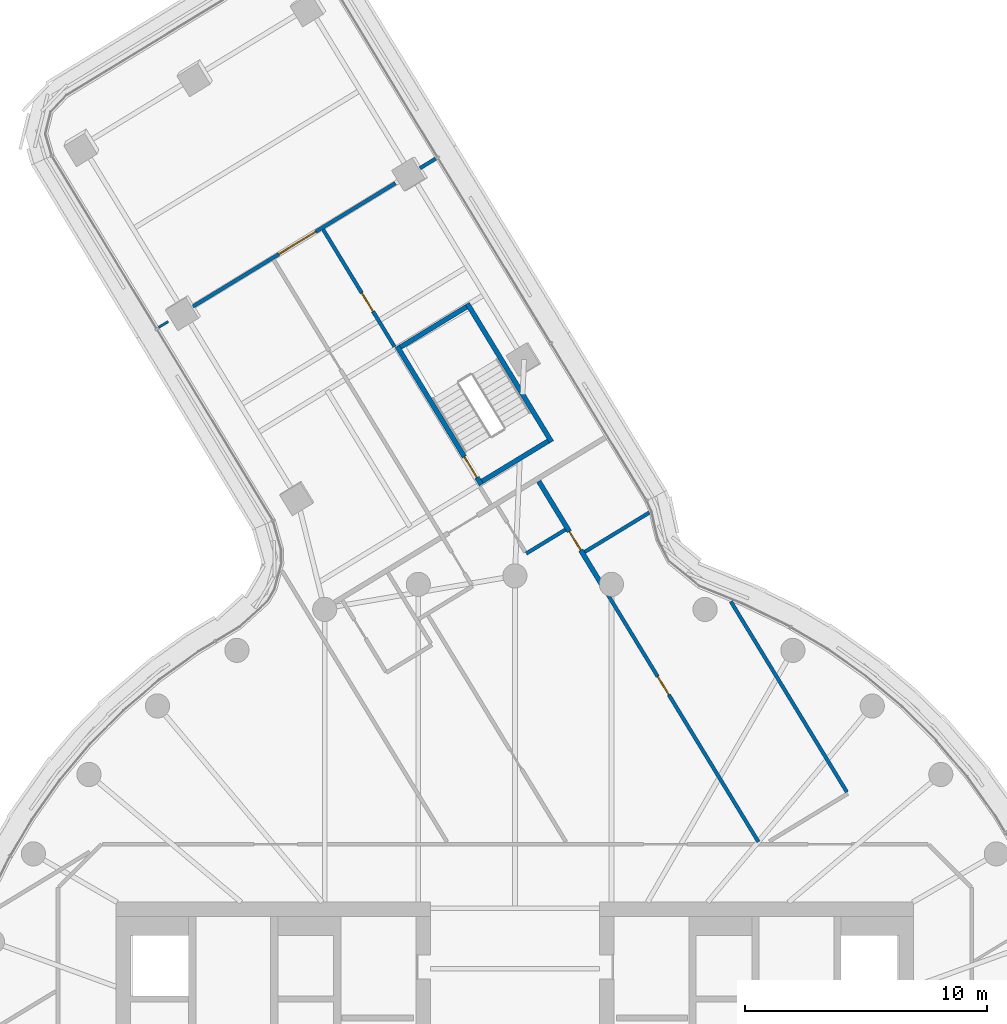
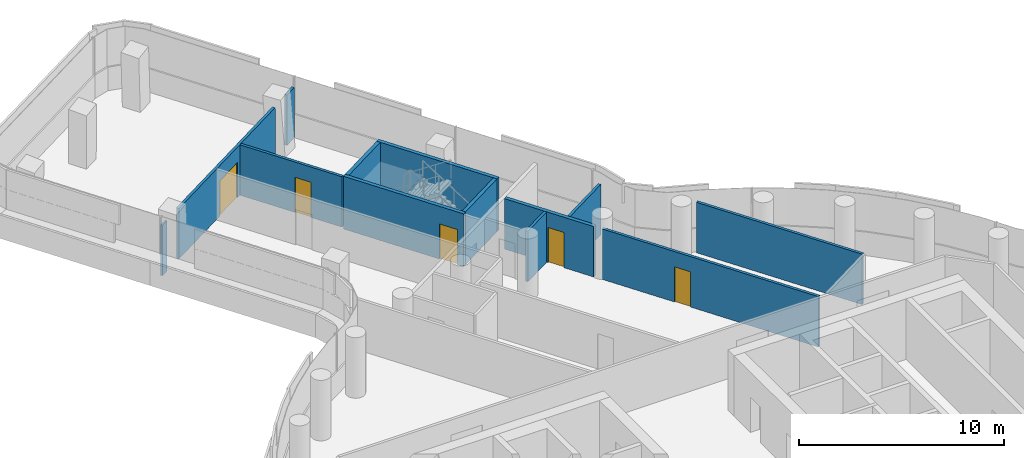
# One storey, part 25 of 35: 13 walls, 5 doors, 5 openings.
"""IFC4 building model written with IfcOpenShell, lengths in metres."""

from ifc_helpers import new_model, si_unit, direction, frame, frame_2d, origin, place, context, subcontext, project, spatial, polyline, rectangle, outline, extrude, material, layer, layer_set, type_object, element, fill, save


model = new_model("IFC4")

# Units and contexts
model_context = context("Model", 3, precision=1e-05, world=origin(), true_north=direction((0.0, 1.0)))
body_context = subcontext(model_context, "Body", "Model", "MODEL_VIEW")
ifc_project = project(units=[si_unit("LENGTHUNIT", "METRE"), si_unit("AREAUNIT", "SQUARE_METRE"), si_unit("VOLUMEUNIT", "CUBIC_METRE"), si_unit("PLANEANGLEUNIT", "RADIAN"), si_unit("MASSUNIT", "GRAM", prefix="KILO")], contexts=[model_context])

# Site, building, storey
site_placement = place(None, origin())
site = spatial("IfcSite", under=ifc_project, at=site_placement, CompositionType="ELEMENT")
building_placement = place(site_placement, origin())
building = spatial("IfcBuilding", under=site, at=building_placement, Name="Tamarind Cross Interchange Tower", CompositionType="ELEMENT")
storey_placement = place(building_placement, frame((0.0, 0.0, 148.0)))
storey = spatial("IfcBuildingStorey", under=building, at=storey_placement, Name="L36", CompositionType="ELEMENT", Elevation=148.0)

# Wall
ifc_material_1 = material(Name="Gypsum board partition on steel studs", Category="steel")
ifc_layer_1 = layer(ifc_material_1, 0.10009765625)
ifc_layer_set_1 = layer_set([ifc_layer_1], Name="Gypsum board partition on steel studs")
wall_type_1 = type_object("IfcWallType", Name="Partition 100 mm EI 90", PredefinedType="PARTITIONING", material=ifc_layer_set_1)
wall_1_placement = place(storey_placement, frame((-14.735107421875, 33.281494140625, 0.0), z_axis=(0.0, 0.0, 1.0), x_axis=(0.853819186758, 0.520569684407, 0.0)))
element("IfcWall", 1, at=wall_1_placement, inside=storey, type_object=wall_type_1, Name="Partition L36-044", PredefinedType="PARTITIONING", context=body_context, shape_type="SweptSolid", body=[
    extrude(rectangle(XDim=0.4599609375, YDim=0.10009765625, at=frame_2d((0.22998046875, 0.0))), origin(), (0.0, 0.0, 1.0), 3.010009765625),
])

# Wall, opening, door
ifc_layer_2 = layer(ifc_material_1, 0.14990234375)
ifc_layer_set_2 = layer_set([ifc_layer_2], Name="Gypsum board partition on steel studs")
wall_type_2 = type_object("IfcWallType", Name="Partition 150 mm EI 120", PredefinedType="PARTITIONING", material=ifc_layer_set_2)
wall_2_placement = place(storey_placement, frame((-7.932373046875, 37.330810546875, 0.0), z_axis=(0.0, 0.0, 1.0), x_axis=(0.520192378897, -0.854049113891, 0.0)))
wall_2 = element("IfcWall", 2, at=wall_2_placement, inside=storey, type_object=wall_type_2, Name="Partition L36-011", PredefinedType="PARTITIONING", context=body_context, shape_type="SweptSolid", body=[
    extrude(rectangle(XDim=5.6796875, YDim=0.14990234375, at=frame_2d((2.83984375, 0.0))), origin(), (0.0, 0.0, 1.0), 3.010009765625),
])
opening_1_placement = place(wall_2_placement, frame((3.070068359375, 0.0, 0.0)))
opening_1 = element("IfcOpeningElement", 3, at=opening_1_placement, cuts=wall_2, Name="Opening D06", PredefinedType="OPENING", context=body_context, shape_type="SweptSolid", body=[
    extrude(rectangle(XDim=0.89990234375, YDim=2.10009765625, at=frame_2d((0.449951171875, 1.050048828125))), frame((0.0, 0.0849609375, 0.0), z_axis=(0.0, -1.0, 0.0), x_axis=(1.0, 0.0, 0.0)), (0.0, 0.0, 1.0), 0.169921875),
])
ifc_material_2 = material(Name="Fire-resisting door set")
door_type_1 = type_object("IfcDoorType", Name="Interior door 900 x 2100 FD60S", OperationType="SINGLE_SWING_LEFT", PredefinedType="DOOR", material=ifc_material_2)
door_1_placement = place(opening_1_placement, origin())
door_1 = element("IfcDoor", 4, at=door_1_placement, inside=storey, type_object=door_type_1, Name="Door D06", OperationType="SINGLE_SWING_LEFT", OverallHeight=2.10009765625, OverallWidth=0.89990234375, PredefinedType="DOOR", context=body_context, shape_type="SweptSolid", body=[
    extrude(rectangle(XDim=0.89990234375, YDim=2.10009765625, at=frame_2d((0.449951171875, 1.050048828125))), frame((0.0, 0.02490234375, 0.0), z_axis=(0.0, -1.0, 0.0), x_axis=(1.0, 0.0, 0.0)), (0.0, 0.0, 1.0), 0.050048828125),
])
fill(opening_1, door_1)

wall_3_placement = place(storey_placement, frame((3.81298828125, 22.277099609375, 0.0), z_axis=(0.0, 0.0, 1.0), x_axis=(0.52031356714, -0.853975287611, 0.0)))
wall_3 = element("IfcWall", 5, at=wall_3_placement, inside=storey, type_object=wall_type_2, Name="Partition L36-020", PredefinedType="PARTITIONING", context=body_context, shape_type="SweptSolid", body=[
    extrude(rectangle(XDim=12.0400390625, YDim=0.14990234375, at=frame_2d((6.02001953125, 0.0))), origin(), (0.0, 0.0, 1.0), 3.010009765625),
])
opening_2_placement = place(wall_3_placement, frame((4.023193359375, 0.0, 0.0)))
opening_2 = element("IfcOpeningElement", 6, at=opening_2_placement, cuts=wall_3, Name="Opening D12", PredefinedType="OPENING", context=body_context, shape_type="SweptSolid", body=[
    extrude(rectangle(XDim=0.89990234375, YDim=2.10009765625, at=frame_2d((0.449951171875, 1.050048828125))), frame((0.0, 0.0849609375, 0.0), z_axis=(0.0, -1.0, 0.0), x_axis=(1.0, 0.0, 0.0)), (0.0, 0.0, 1.0), 0.169921875),
])
door_2_placement = place(opening_2_placement, origin())
door_2 = element("IfcDoor", 7, at=door_2_placement, inside=storey, type_object=door_type_1, Name="Door D12", OperationType="SINGLE_SWING_RIGHT", OverallHeight=2.10009765625, OverallWidth=0.89990234375, PredefinedType="DOOR", context=body_context, shape_type="SweptSolid", body=[
    extrude(rectangle(XDim=0.89990234375, YDim=2.10009765625, at=frame_2d((0.449951171875, 1.050048828125))), frame((0.0, 0.02490234375, 0.0), z_axis=(0.0, -1.0, 0.0), x_axis=(1.0, 0.0, 0.0)), (0.0, 0.0, 1.0), 0.050048828125),
])
fill(opening_2, door_2)

# Wall
wall_4_placement = place(storey_placement, frame((8.935302734375, 21.939453125, 0.0), z_axis=(0.0, 0.0, 1.0), x_axis=(0.520139186157, -0.854081510761, 0.0)))
element("IfcWall", 8, at=wall_4_placement, inside=storey, type_object=wall_type_2, Name="Partition L36-025", PredefinedType="PARTITIONING", context=body_context, shape_type="SweptSolid", body=[
    extrude(rectangle(XDim=9.2255859375, YDim=0.14990234375, at=frame_2d((4.61279296875, 0.0))), origin(), (0.0, 0.0, 1.0), 3.010009765625),
])

# Wall, opening, door
wall_5_placement = place(storey_placement, frame((-13.323486328125, 34.141357421875, 0.0), z_axis=(0.0, 0.0, 1.0), x_axis=(0.854059648634, 0.520175082616, 0.0)))
wall_5 = element("IfcWall", 9, at=wall_5_placement, inside=storey, type_object=wall_type_2, Name="Partition L36-045", PredefinedType="PARTITIONING", context=body_context, shape_type="SweptSolid", body=[
    extrude(rectangle(XDim=9.810791015625, YDim=0.14990234375, at=frame_2d((4.9052734375, 0.0))), origin(), (0.0, 0.0, 1.0), 3.010009765625),
])
opening_3_placement = place(wall_5_placement, frame((4.163330078125, 0.0, 0.0)))
opening_3 = element("IfcOpeningElement", 10, at=opening_3_placement, cuts=wall_5, Name="Opening D31", PredefinedType="OPENING", context=body_context, shape_type="SweptSolid", body=[
    extrude(rectangle(XDim=1.800048828125, YDim=2.10009765625, at=frame_2d((0.89990234375, 1.050048828125))), frame((0.0, 0.0849609375, 0.0), z_axis=(0.0, -1.0, 0.0), x_axis=(1.0, 0.0, 0.0)), (0.0, 0.0, 1.0), 0.169921875),
])
door_type_2 = type_object("IfcDoorType", Name="Interior door 1800 x 2100 FD60S", OperationType="DOUBLE_DOOR_SINGLE_SWING", PredefinedType="DOOR", material=ifc_material_2)
door_3_placement = place(opening_3_placement, frame((1.800048828125, 0.0, 0.0), z_axis=(0.0, 0.0, 1.0), x_axis=(-1.0, 0.0, 0.0)))
door_3 = element("IfcDoor", 11, at=door_3_placement, inside=storey, type_object=door_type_2, Name="Door D31", OperationType="DOUBLE_DOOR_SINGLE_SWING", OverallHeight=2.10009765625, OverallWidth=1.800048828125, PredefinedType="DOOR", context=body_context, shape_type="SweptSolid", body=[
    extrude(rectangle(XDim=1.800048828125, YDim=2.10009765625, at=frame_2d((0.89990234375, 1.050048828125))), frame((0.0, 0.02490234375, 0.0), z_axis=(0.0, -1.0, 0.0), x_axis=(1.0, 0.0, 0.0)), (0.0, 0.0, 1.0), 0.050048828125),
])
fill(opening_3, door_3)

# Walls
wall_6_placement = place(storey_placement, frame((-3.924560546875, 39.865966796875, 0.0), z_axis=(0.0, 0.0, 1.0), x_axis=(0.853974369276, 0.520315074372, 0.0)))
element("IfcWall", 12, at=wall_6_placement, inside=storey, type_object=wall_type_2, Name="Partition L36-046", PredefinedType="PARTITIONING", context=body_context, shape_type="SweptSolid", body=[
    extrude(rectangle(XDim=0.75732421875, YDim=0.14990234375, at=frame_2d((0.378662109375, 0.0))), origin(), (0.0, 0.0, 1.0), 3.010009765625),
])
wall_7_placement = place(storey_placement, frame((2.8857421875, 23.990234375, 0.0), z_axis=(0.0, 0.0, 1.0), x_axis=(0.854147393667, 0.520030989357, 0.0)))
element("IfcWall", 13, at=wall_7_placement, inside=storey, type_object=wall_type_2, Name="Partition L36-050", PredefinedType="PARTITIONING", context=body_context, shape_type="SweptSolid", body=[
    extrude(rectangle(XDim=3.13330078125, YDim=0.14990234375, at=frame_2d((1.566650390625, 0.0))), origin(), (0.0, 0.0, 1.0), 3.010009765625),
])
wall_8_placement = place(storey_placement, frame((0.467529296875, 23.923095703125, 0.0), z_axis=(0.0, 0.0, 1.0), x_axis=(0.854096838404, 0.52011401695, 0.0)))
element("IfcWall", 14, at=wall_8_placement, inside=storey, type_object=wall_type_2, Name="Partition L36-052", PredefinedType="PARTITIONING", context=body_context, shape_type="SweptSolid", body=[
    extrude(rectangle(XDim=1.900634765625, YDim=0.14990234375, at=frame_2d((0.9501953125, 0.0))), origin(), (0.0, 0.0, 1.0), 3.010009765625),
])

# Wall, opening, door
ifc_layer_3 = layer(ifc_material_1, 0.199951171875)
ifc_layer_set_3 = layer_set([ifc_layer_3], Name="Gypsum board partition on steel studs")
wall_type_3 = type_object("IfcWallType", Name="Partition 200 mm EI 180", PredefinedType="PARTITIONING", material=ifc_layer_set_3)
wall_9_placement = place(storey_placement, frame((0.989501953125, 26.91162109375, 0.0), z_axis=(0.0, 0.0, 1.0), x_axis=(0.520312603041, -0.85397587502, 0.0)))
wall_9 = element("IfcWall", 15, at=wall_9_placement, inside=storey, type_object=wall_type_3, Name="Partition L36-019", PredefinedType="PARTITIONING", context=body_context, shape_type="SweptSolid", body=[
    extrude(rectangle(XDim=4.97705078125, YDim=0.199951171875, at=frame_2d((2.488525390625, 0.0))), origin(), (0.0, 0.0, 1.0), 3.010009765625),
])
opening_4_placement = place(wall_9_placement, frame((2.430419921875, 0.0, 0.0)))
opening_4 = element("IfcOpeningElement", 16, at=opening_4_placement, cuts=wall_9, Name="Opening D11", PredefinedType="OPENING", context=body_context, shape_type="SweptSolid", body=[
    extrude(rectangle(XDim=0.89990234375, YDim=2.10009765625, at=frame_2d((0.449951171875, 1.050048828125))), frame((0.0, 0.10986328125, 0.0), z_axis=(0.0, -1.0, 0.0), x_axis=(1.0, 0.0, 0.0)), (0.0, 0.0, 1.0), 0.219970703125),
])
door_type_3 = type_object("IfcDoorType", Name="Interior door 900 x 2100 FD120S", OperationType="SINGLE_SWING_LEFT", PredefinedType="DOOR", material=ifc_material_2)
door_4_placement = place(opening_4_placement, origin())
door_4 = element("IfcDoor", 17, at=door_4_placement, inside=storey, type_object=door_type_3, Name="Door D11", OperationType="SINGLE_SWING_LEFT", OverallHeight=2.10009765625, OverallWidth=0.89990234375, PredefinedType="DOOR", context=body_context, shape_type="SweptSolid", body=[
    extrude(rectangle(XDim=0.89990234375, YDim=2.10009765625, at=frame_2d((0.449951171875, 1.050048828125))), frame((0.0, 0.02490234375, 0.0), z_axis=(0.0, -1.0, 0.0), x_axis=(1.0, 0.0, 0.0)), (0.0, 0.0, 1.0), 0.050048828125),
])
fill(opening_4, door_4)

ifc_material_3 = material(Name="Concrete C40", Category="concrete")
ifc_layer_4 = layer(ifc_material_3, 0.199951171875)
ifc_layer_set_4 = layer_set([ifc_layer_4], Name="Concrete C40")
wall_type_4 = type_object("IfcWallType", Name="Stair shaft wall 200 mm Concrete C40", PredefinedType="SHEAR", material=ifc_layer_set_4)
wall_10_placement = place(storey_placement, frame((-1.38671875, 26.775634765625, -0.139892578125), z_axis=(0.0, 0.0, 1.0), x_axis=(-0.520143457408, 0.854078909537, 0.0)))
wall_10 = element("IfcWall", 18, at=wall_10_placement, inside=storey, type_object=wall_type_4, Name="Core wall CWL-L36-ST4-H", PredefinedType="SHEAR", context=body_context, shape_type="SweptSolid", body=[
    extrude(rectangle(XDim=6.69970703125, YDim=0.199951171875, at=frame_2d((3.349853515625, 0.0))), origin(), (0.0, 0.0, 1.0), 3.14990234375),
])
opening_5_placement = place(wall_10_placement, frame((0.35009765625, 0.0, 0.0)))
opening_5 = element("IfcOpeningElement", 19, at=opening_5_placement, cuts=wall_10, Name="Opening ST4L36", PredefinedType="OPENING", context=body_context, shape_type="SweptSolid", body=[
    extrude(rectangle(XDim=1.0, YDim=2.10009765625, at=frame_2d((0.5, 1.050048828125))), frame((0.0, 0.10986328125, 0.0), z_axis=(0.0, -1.0, 0.0), x_axis=(1.0, 0.0, 0.0)), (0.0, 0.0, 1.0), 0.219970703125),
])
ifc_material_4 = material(Name="Steel, fire-resisting", Category="steel")
door_type_4 = type_object("IfcDoorType", Name="Core fire door 1000 x 2100 FD90", OperationType="SINGLE_SWING_LEFT", PredefinedType="DOOR", material=ifc_material_4)
door_5_placement = place(opening_5_placement, origin())
door_5 = element("IfcDoor", 20, at=door_5_placement, inside=storey, type_object=door_type_4, Name="L36 stair door ST4", OperationType="SINGLE_SWING_LEFT", OverallHeight=2.10009765625, OverallWidth=1.0, PredefinedType="DOOR", context=body_context, shape_type="SweptSolid", body=[
    extrude(rectangle(XDim=1.0, YDim=2.10009765625, at=frame_2d((0.5, 1.050048828125))), frame((0.0, 0.02490234375, 0.0), z_axis=(0.0, -1.0, 0.0), x_axis=(1.0, 0.0, 0.0)), (0.0, 0.0, 1.0), 0.050048828125),
])
fill(opening_5, door_5)

# Walls
wall_11_placement = place(storey_placement, frame((1.51708984375, 28.544189453125, -0.139892578125), z_axis=(0.0, 0.0, 1.0), x_axis=(-0.520153849778, 0.854072580382, 0.0)))
element("IfcWall", 21, at=wall_11_placement, inside=storey, type_object=wall_type_4, Name="Core wall CWL-L36-ST4-C", PredefinedType="SHEAR", context=body_context, shape_type="SweptSolid", body=[
    extrude(rectangle(XDim=6.7001953125, YDim=0.199951171875, at=frame_2d((3.35009765625, 0.0))), origin(), (0.0, 0.0, 1.0), 3.14990234375),
])
wall_12_placement = place(storey_placement, frame((1.3798828125, 28.57763671875, -0.139892578125), z_axis=(0.0, 0.0, 1.0), x_axis=(-0.854074782587, -0.520150233826, 0.0)))
element("IfcWall", 22, at=wall_12_placement, inside=storey, type_object=wall_type_4, Name="Core wall CWL-L36-ST4-CE", PredefinedType="SHEAR", context=body_context, shape_type="SweptSolid", body=[
    extrude(rectangle(XDim=3.2001953125, YDim=0.199951171875, at=frame_2d((1.60009765625, 0.0))), origin(), (0.0, 0.0, 1.0), 3.14990234375),
])
wall_13_placement = place(storey_placement, frame((0.0, 0.0, -0.139892578125)))
element("IfcWall", 23, at=wall_13_placement, inside=storey, type_object=wall_type_4, Name="Core wall CWL-L36-ST4-CF", PredefinedType="SHEAR", context=body_context, shape_type="SweptSolid", body=[
    extrude(outline(polyline([(-1.94921875, 34.043701171875), (-2.05322265625, 34.214599609375), (-4.786376953125, 32.5498046875), (-4.682373046875, 32.379150390625), (-1.94921875, 34.043701171875)])), origin(), (0.0, 0.0, 1.0), 3.14990234375),
])

save(model, "model.ifc")
